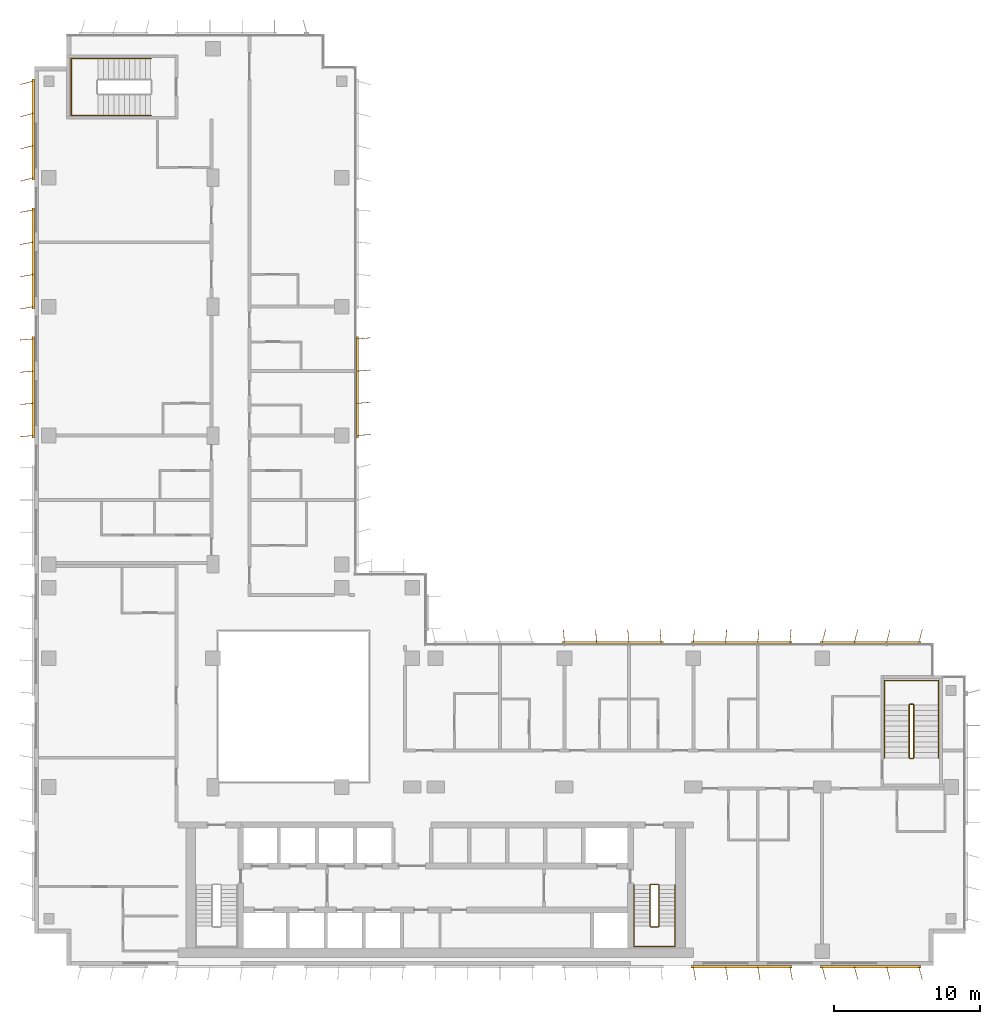
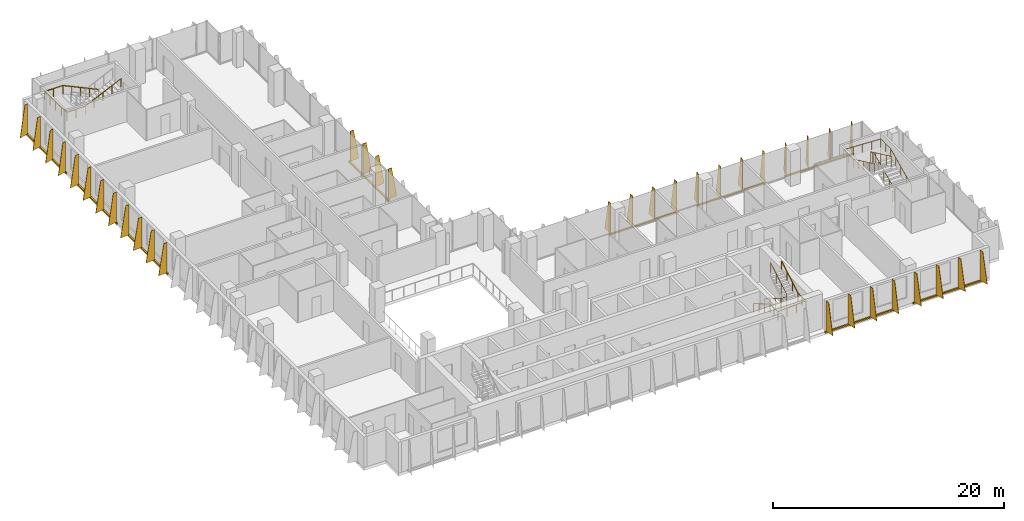
# One storey, part 20 of 21: 9 shading devices, 5 railings.
"""IFC4 building model written with IfcOpenShell, lengths in metres."""

from ifc_helpers import new_model, si_unit, direction, frame, origin, origin_2d, place, context, subcontext, project, spatial, polyline, rectangle, circle, outline, extrude, source, transform, mapped, material, layer, layer_set, type_object, element, save


model = new_model("IFC4")

# Units and contexts
model_context = context("Model", 3, precision=1e-05, world=origin(), true_north=direction((0.0, 1.0)))
body_context = subcontext(model_context, "Body", "Model", "MODEL_VIEW")
ifc_project = project(units=[si_unit("LENGTHUNIT", "METRE"), si_unit("AREAUNIT", "SQUARE_METRE"), si_unit("VOLUMEUNIT", "CUBIC_METRE"), si_unit("PLANEANGLEUNIT", "RADIAN"), si_unit("MASSUNIT", "GRAM", prefix="KILO")], contexts=[model_context])

# Site, building, storey
site_placement = place(None, origin())
site = spatial("IfcSite", under=ifc_project, at=site_placement, CompositionType="ELEMENT")
building_placement = place(site_placement, origin())
building = spatial("IfcBuilding", under=site, at=building_placement, Name="Kemantara Hotel Tower", CompositionType="ELEMENT")
storey_placement = place(building_placement, frame((0.0, 0.0, 198.800048828125)))
storey = spatial("IfcBuildingStorey", under=building, at=storey_placement, Name="L49", CompositionType="ELEMENT", Elevation=198.800048828125)

# Railings
ifc_material_1 = material(Name="Stainless steel balustrade", Category="steel")
railing_type_1 = type_object("IfcRailingType", Name="Stair guard 1100 mm", PredefinedType="GUARDRAIL", material=ifc_material_1)
railing_1_placement = place(storey_placement, frame((42.64990234375, 5.5, 3.699951171875)))
element("IfcRailing", 1, at=railing_1_placement, inside=storey, type_object=railing_type_1, Name="L49 ST2 stair guard 1", PredefinedType="GUARDRAIL", context=body_context, shape_type="SweptSolid", body=[
    extrude(circle(Radius=0.02392578125, at=origin_2d()), frame((0.0, 0.0, 1.076171875), z_axis=(0.0, -0.857242210791, -0.514913383045), x_axis=(1.0, 0.0, 0.0)), (0.0, 0.0, 1.0), 3.266357421875),
    extrude(circle(Radius=0.02392578125, at=origin_2d()), frame((0.0, -2.800048828125, -0.60595703125), z_axis=(-0.273006030465, -0.27434429532, -0.922064485248), x_axis=(0.708833529934, -0.705375805398, 0.0)), (0.0, 0.0, 1.0), 0.182373046875),
    extrude(circle(Radius=0.02392578125, at=origin_2d()), frame((-0.0498046875, -2.85009765625, -0.77392578125), z_axis=(-1.0, 0.0, 0.0), x_axis=(0.0, -1.0, 0.0)), (0.0, 0.0, 1.0), 0.5),
    extrude(circle(Radius=0.02392578125, at=origin_2d()), frame((-0.5498046875, -2.85009765625, -0.77392578125), z_axis=(-0.707106781187, 0.707106781187, 0.0), x_axis=(-0.707106781187, -0.707106781187, 0.0)), (0.0, 0.0, 1.0), 0.07080078125),
    extrude(circle(Radius=0.02392578125, at=origin_2d()), frame((-0.599853515625, -2.800048828125, -0.77392578125), z_axis=(0.0, 0.857275202839, -0.514858452973), x_axis=(-1.0, 0.0, 0.0)), (0.0, 0.0, 1.0), 3.26611328125),
    extrude(circle(Radius=0.02392578125, at=origin_2d()), frame((-0.599853515625, 0.0, -2.45556640625), z_axis=(0.274243871929, 0.274243871929, -0.92172696468), x_axis=(-0.707106781187, 0.707106781187, 0.0)), (0.0, 0.0, 1.0), 0.1826171875),
    extrude(circle(Radius=0.02392578125, at=origin_2d()), frame((-0.5498046875, 0.050048828125, -2.6240234375), z_axis=(1.0, 0.0, 0.0), x_axis=(0.0, 1.0, 0.0)), (0.0, 0.0, 1.0), 0.5),
    extrude(circle(Radius=0.02099609375, at=origin_2d()), origin(), (0.0, 0.0, 1.0), 1.052001953125),
    extrude(circle(Radius=0.02099609375, at=origin_2d()), frame((0.0, -0.933349609375, -0.560546875)), (0.0, 0.0, 1.0), 1.052001953125),
    extrude(circle(Radius=0.02099609375, at=origin_2d()), frame((0.0, -1.86669921875, -1.121337890625)), (0.0, 0.0, 1.0), 1.052001953125),
    extrude(circle(Radius=0.02099609375, at=origin_2d()), frame((0.0, -2.800048828125, -1.681884765625)), (0.0, 0.0, 1.0), 1.052001953125),
    extrude(circle(Radius=0.02099609375, at=origin_2d()), frame((-0.0498046875, -2.85009765625, -1.85009765625)), (0.0, 0.0, 1.0), 1.052001953125),
    extrude(circle(Radius=0.02099609375, at=origin_2d()), frame((-0.5498046875, -2.85009765625, -1.85009765625)), (0.0, 0.0, 1.0), 1.052001953125),
    extrude(circle(Radius=0.02099609375, at=origin_2d()), frame((-0.599853515625, -2.800048828125, -1.85009765625)), (0.0, 0.0, 1.0), 1.052001953125),
    extrude(circle(Radius=0.02099609375, at=origin_2d()), frame((-0.599853515625, -1.86669921875, -2.41064453125)), (0.0, 0.0, 1.0), 1.052001953125),
    extrude(circle(Radius=0.02099609375, at=origin_2d()), frame((-0.599853515625, -0.933349609375, -2.97119140625)), (0.0, 0.0, 1.0), 1.052001953125),
    extrude(circle(Radius=0.02099609375, at=origin_2d()), frame((-0.599853515625, 0.0, -3.53173828125)), (0.0, 0.0, 1.0), 1.052001953125),
    extrude(circle(Radius=0.02099609375, at=origin_2d()), frame((-0.5498046875, 0.050048828125, -3.699951171875)), (0.0, 0.0, 1.0), 1.052001953125),
    extrude(circle(Radius=0.02099609375, at=origin_2d()), frame((-0.0498046875, 0.050048828125, -3.699951171875)), (0.0, 0.0, 1.0), 1.052001953125),
])
railing_2_placement = place(storey_placement, frame((59.75, 14.199951171875, 3.699951171875)))
element("IfcRailing", 2, at=railing_2_placement, inside=storey, type_object=railing_type_1, Name="L49 ST3 stair guard 1", PredefinedType="GUARDRAIL", context=body_context, shape_type="SweptSolid", body=[
    extrude(circle(Radius=0.02392578125, at=origin_2d()), frame((0.0, 0.0, 1.076171875), z_axis=(0.0, 0.906005689286, -0.423265508849), x_axis=(-1.0, 0.0, 0.0)), (0.0, 0.0, 1.0), 3.9736328125),
    extrude(circle(Radius=0.02392578125, at=origin_2d()), frame((0.0, 3.60009765625, -0.60595703125), z_axis=(0.274243871929, 0.274243871929, -0.92172696468), x_axis=(-0.707106781187, 0.707106781187, 0.0)), (0.0, 0.0, 1.0), 0.1826171875),
    extrude(circle(Radius=0.02392578125, at=origin_2d()), frame((0.050048828125, 3.650146484375, -0.77392578125), z_axis=(1.0, 0.0, 0.0), x_axis=(0.0, 1.0, 0.0)), (0.0, 0.0, 1.0), 0.199951171875),
    extrude(circle(Radius=0.02392578125, at=origin_2d()), frame((0.25, 3.650146484375, -0.77392578125), z_axis=(0.707106781187, -0.707106781187, 0.0), x_axis=(0.707106781187, 0.707106781187, 0.0)), (0.0, 0.0, 1.0), 0.07080078125),
    extrude(circle(Radius=0.02392578125, at=origin_2d()), frame((0.300048828125, 3.60009765625, -0.77392578125), z_axis=(0.0, -0.906029249863, -0.423215073447), x_axis=(1.0, 0.0, 0.0)), (0.0, 0.0, 1.0), 3.973388671875),
    extrude(circle(Radius=0.02392578125, at=origin_2d()), frame((0.300048828125, 0.0, -2.45556640625), z_axis=(-0.274243871929, -0.274243871929, -0.92172696468), x_axis=(0.707106781187, -0.707106781187, 0.0)), (0.0, 0.0, 1.0), 0.1826171875),
    extrude(circle(Radius=0.02392578125, at=origin_2d()), frame((0.25, -0.050048828125, -2.6240234375), z_axis=(-1.0, 0.0, 0.0), x_axis=(0.0, -1.0, 0.0)), (0.0, 0.0, 1.0), 0.199951171875),
    extrude(circle(Radius=0.02099609375, at=origin_2d()), origin(), (0.0, 0.0, 1.0), 1.052001953125),
    extrude(circle(Radius=0.02099609375, at=origin_2d()), frame((0.0, 0.89990234375, -0.42041015625)), (0.0, 0.0, 1.0), 1.052001953125),
    extrude(circle(Radius=0.02099609375, at=origin_2d()), frame((0.0, 1.800048828125, -0.8408203125)), (0.0, 0.0, 1.0), 1.052001953125),
    extrude(circle(Radius=0.02099609375, at=origin_2d()), frame((0.0, 2.7001953125, -1.261474609375)), (0.0, 0.0, 1.0), 1.052001953125),
    extrude(circle(Radius=0.02099609375, at=origin_2d()), frame((0.0, 3.60009765625, -1.681884765625)), (0.0, 0.0, 1.0), 1.052001953125),
    extrude(circle(Radius=0.02099609375, at=origin_2d()), frame((0.050048828125, 3.650146484375, -1.85009765625)), (0.0, 0.0, 1.0), 1.052001953125),
    extrude(circle(Radius=0.02099609375, at=origin_2d()), frame((0.25, 3.650146484375, -1.85009765625)), (0.0, 0.0, 1.0), 1.052001953125),
    extrude(circle(Radius=0.02099609375, at=origin_2d()), frame((0.300048828125, 3.60009765625, -1.85009765625)), (0.0, 0.0, 1.0), 1.052001953125),
    extrude(circle(Radius=0.02099609375, at=origin_2d()), frame((0.300048828125, 2.7001953125, -2.2705078125)), (0.0, 0.0, 1.0), 1.052001953125),
    extrude(circle(Radius=0.02099609375, at=origin_2d()), frame((0.300048828125, 1.800048828125, -2.69091796875)), (0.0, 0.0, 1.0), 1.052001953125),
    extrude(circle(Radius=0.02099609375, at=origin_2d()), frame((0.300048828125, 0.89990234375, -3.111328125)), (0.0, 0.0, 1.0), 1.052001953125),
    extrude(circle(Radius=0.02099609375, at=origin_2d()), frame((0.300048828125, 0.0, -3.53173828125)), (0.0, 0.0, 1.0), 1.052001953125),
    extrude(circle(Radius=0.02099609375, at=origin_2d()), frame((0.25, -0.050048828125, -3.699951171875)), (0.0, 0.0, 1.0), 1.052001953125),
    extrude(circle(Radius=0.02099609375, at=origin_2d()), frame((0.050048828125, -0.050048828125, -3.699951171875)), (0.0, 0.0, 1.0), 1.052001953125),
])
railing_type_2 = type_object("IfcRailingType", Name="Stair handrail 900 mm", PredefinedType="HANDRAIL", material=ifc_material_1)
railing_3_placement = place(storey_placement, frame((40.949951171875, 5.5, 0.168212890625)))
element("IfcRailing", 3, at=railing_3_placement, inside=storey, type_object=railing_type_2, Name="L49 ST2 stair handrail 1", PredefinedType="HANDRAIL", context=body_context, shape_type="SweptSolid", body=[
    extrude(circle(Radius=0.02392578125, at=origin_2d()), frame((0.0, 0.0, 0.8759765625), z_axis=(0.0, -0.857275202839, 0.514858452973), x_axis=(1.0, 0.0, 0.0)), (0.0, 0.0, 1.0), 3.26611328125),
    extrude(circle(Radius=0.02392578125, at=origin_2d()), frame((0.0, -2.800048828125, 2.5576171875), z_axis=(0.0, -1.0, 0.0), x_axis=(1.0, 0.0, 0.0)), (0.0, 0.0, 1.0), 1.3798828125),
    extrude(circle(Radius=0.02392578125, at=origin_2d()), frame((0.0, -4.179931640625, 2.5576171875), z_axis=(0.998200367801, 0.0, 0.059966871865), x_axis=(0.0, 1.0, 0.0)), (0.0, 0.0, 1.0), 2.80517578125),
    extrude(circle(Radius=0.02392578125, at=origin_2d()), frame((2.800048828125, -4.179931640625, 2.7255859375), z_axis=(0.0, 1.0, 0.0), x_axis=(-1.0, 0.0, 0.0)), (0.0, 0.0, 1.0), 1.3798828125),
    extrude(circle(Radius=0.02392578125, at=origin_2d()), frame((2.800048828125, -2.800048828125, 2.7255859375), z_axis=(0.0, 0.857242210791, 0.514913383045), x_axis=(-1.0, 0.0, 0.0)), (0.0, 0.0, 1.0), 3.266357421875),
    extrude(circle(Radius=0.02099609375, at=origin_2d()), origin(), (0.0, 0.0, 1.0), 0.851806640625),
    extrude(circle(Radius=0.02099609375, at=origin_2d()), frame((0.0, -0.933349609375, 0.560546875)), (0.0, 0.0, 1.0), 0.851806640625),
    extrude(circle(Radius=0.02099609375, at=origin_2d()), frame((0.0, -1.86669921875, 1.12109375)), (0.0, 0.0, 1.0), 0.851806640625),
    extrude(circle(Radius=0.02099609375, at=origin_2d()), frame((0.0, -2.800048828125, 1.681640625)), (0.0, 0.0, 1.0), 0.851806640625),
    extrude(circle(Radius=0.02099609375, at=origin_2d()), frame((0.0, -3.489990234375, 1.681640625)), (0.0, 0.0, 1.0), 0.851806640625),
    extrude(circle(Radius=0.02099609375, at=origin_2d()), frame((0.0, -4.179931640625, 1.681640625)), (0.0, 0.0, 1.0), 0.851806640625),
    extrude(circle(Radius=0.02099609375, at=origin_2d()), frame((0.933349609375, -4.179931640625, 1.73779296875)), (0.0, 0.0, 1.0), 0.851806640625),
    extrude(circle(Radius=0.02099609375, at=origin_2d()), frame((1.86669921875, -4.179931640625, 1.793701171875)), (0.0, 0.0, 1.0), 0.851806640625),
    extrude(circle(Radius=0.02099609375, at=origin_2d()), frame((2.800048828125, -4.179931640625, 1.849853515625)), (0.0, 0.0, 1.0), 0.851806640625),
    extrude(circle(Radius=0.02099609375, at=origin_2d()), frame((2.800048828125, -3.489990234375, 1.849853515625)), (0.0, 0.0, 1.0), 0.851806640625),
    extrude(circle(Radius=0.02099609375, at=origin_2d()), frame((2.800048828125, -2.800048828125, 1.849853515625)), (0.0, 0.0, 1.0), 0.851806640625),
    extrude(circle(Radius=0.02099609375, at=origin_2d()), frame((2.800048828125, -1.86669921875, 2.410400390625)), (0.0, 0.0, 1.0), 0.851806640625),
    extrude(circle(Radius=0.02099609375, at=origin_2d()), frame((2.800048828125, -0.933349609375, 2.97119140625)), (0.0, 0.0, 1.0), 0.851806640625),
    extrude(circle(Radius=0.02099609375, at=origin_2d()), frame((2.800048828125, 0.0, 3.53173828125)), (0.0, 0.0, 1.0), 0.851806640625),
])
railing_4_placement = place(storey_placement, frame((61.75, 14.199951171875, 0.168212890625)))
element("IfcRailing", 4, at=railing_4_placement, inside=storey, type_object=railing_type_2, Name="L49 ST3 stair handrail 1", PredefinedType="HANDRAIL", context=body_context, shape_type="SweptSolid", body=[
    extrude(circle(Radius=0.02392578125, at=origin_2d()), frame((0.0, 0.0, 0.8759765625), z_axis=(0.0, 0.906029249863, 0.423215073447), x_axis=(-1.0, 0.0, 0.0)), (0.0, 0.0, 1.0), 3.973388671875),
    extrude(circle(Radius=0.02392578125, at=origin_2d()), frame((0.0, 3.60009765625, 2.5576171875), z_axis=(0.0, 1.0, 0.0), x_axis=(-1.0, 0.0, 0.0)), (0.0, 0.0, 1.0), 1.679931640625),
    extrude(circle(Radius=0.02392578125, at=origin_2d()), frame((0.0, 5.280029296875, 2.5576171875), z_axis=(-0.998968132438, 0.0, 0.045416631029), x_axis=(0.0, -1.0, 0.0)), (0.0, 0.0, 1.0), 3.703857421875),
    extrude(circle(Radius=0.02392578125, at=origin_2d()), frame((-3.699951171875, 5.280029296875, 2.7255859375), z_axis=(0.0, -1.0, 0.0), x_axis=(1.0, 0.0, 0.0)), (0.0, 0.0, 1.0), 1.679931640625),
    extrude(circle(Radius=0.02392578125, at=origin_2d()), frame((-3.699951171875, 3.60009765625, 2.7255859375), z_axis=(0.0, -0.906005689286, 0.423265508849), x_axis=(1.0, 0.0, 0.0)), (0.0, 0.0, 1.0), 3.9736328125),
    extrude(circle(Radius=0.02099609375, at=origin_2d()), origin(), (0.0, 0.0, 1.0), 0.851806640625),
    extrude(circle(Radius=0.02099609375, at=origin_2d()), frame((0.0, 0.89990234375, 0.42041015625)), (0.0, 0.0, 1.0), 0.851806640625),
    extrude(circle(Radius=0.02099609375, at=origin_2d()), frame((0.0, 1.800048828125, 0.8408203125)), (0.0, 0.0, 1.0), 0.851806640625),
    extrude(circle(Radius=0.02099609375, at=origin_2d()), frame((0.0, 2.7001953125, 1.26123046875)), (0.0, 0.0, 1.0), 0.851806640625),
    extrude(circle(Radius=0.02099609375, at=origin_2d()), frame((0.0, 3.60009765625, 1.681640625)), (0.0, 0.0, 1.0), 0.851806640625),
    extrude(circle(Radius=0.02099609375, at=origin_2d()), frame((0.0, 4.43994140625, 1.681640625)), (0.0, 0.0, 1.0), 0.851806640625),
    extrude(circle(Radius=0.02099609375, at=origin_2d()), frame((0.0, 5.280029296875, 1.681640625)), (0.0, 0.0, 1.0), 0.851806640625),
    extrude(circle(Radius=0.02099609375, at=origin_2d()), frame((-0.925048828125, 5.280029296875, 1.7236328125)), (0.0, 0.0, 1.0), 0.851806640625),
    extrude(circle(Radius=0.02099609375, at=origin_2d()), frame((-1.85009765625, 5.280029296875, 1.765625)), (0.0, 0.0, 1.0), 0.851806640625),
    extrude(circle(Radius=0.02099609375, at=origin_2d()), frame((-2.77490234375, 5.280029296875, 1.807861328125)), (0.0, 0.0, 1.0), 0.851806640625),
    extrude(circle(Radius=0.02099609375, at=origin_2d()), frame((-3.699951171875, 5.280029296875, 1.849853515625)), (0.0, 0.0, 1.0), 0.851806640625),
    extrude(circle(Radius=0.02099609375, at=origin_2d()), frame((-3.699951171875, 4.43994140625, 1.849853515625)), (0.0, 0.0, 1.0), 0.851806640625),
    extrude(circle(Radius=0.02099609375, at=origin_2d()), frame((-3.699951171875, 3.60009765625, 1.849853515625)), (0.0, 0.0, 1.0), 0.851806640625),
    extrude(circle(Radius=0.02099609375, at=origin_2d()), frame((-3.699951171875, 2.7001953125, 2.270263671875)), (0.0, 0.0, 1.0), 0.851806640625),
    extrude(circle(Radius=0.02099609375, at=origin_2d()), frame((-3.699951171875, 1.800048828125, 2.69091796875)), (0.0, 0.0, 1.0), 0.851806640625),
    extrude(circle(Radius=0.02099609375, at=origin_2d()), frame((-3.699951171875, 0.89990234375, 3.111328125)), (0.0, 0.0, 1.0), 0.851806640625),
    extrude(circle(Radius=0.02099609375, at=origin_2d()), frame((-3.699951171875, 0.0, 3.53173828125)), (0.0, 0.0, 1.0), 0.851806640625),
])
railing_5_placement = place(storey_placement, frame((7.949951171875, 61.949951171875, 0.168212890625)))
element("IfcRailing", 5, at=railing_5_placement, inside=storey, type_object=railing_type_2, Name="L49 ST4 stair handrail 1", PredefinedType="HANDRAIL", context=body_context, shape_type="SweptSolid", body=[
    extrude(circle(Radius=0.02392578125, at=origin_2d()), frame((0.0, 0.0, 0.8759765625), z_axis=(-0.906018243939, 0.0, 0.423238634402), x_axis=(0.0, -1.0, 0.0)), (0.0, 0.0, 1.0), 3.973388671875),
    extrude(circle(Radius=0.02392578125, at=origin_2d()), frame((-3.599853515625, 0.0, 2.5576171875), z_axis=(-1.0, 0.0, 0.0), x_axis=(0.0, -1.0, 0.0)), (0.0, 0.0, 1.0), 1.830078125),
    extrude(circle(Radius=0.02392578125, at=origin_2d()), frame((-5.429931640625, 0.0, 2.5576171875), z_axis=(0.0, -0.999071085748, 0.043092523981), x_axis=(1.0, 0.0, 0.0)), (0.0, 0.0, 1.0), 3.903564453125),
    extrude(circle(Radius=0.02392578125, at=origin_2d()), frame((-5.429931640625, -3.89990234375, 2.7255859375), z_axis=(1.0, 0.0, 0.0), x_axis=(0.0, 1.0, 0.0)), (0.0, 0.0, 1.0), 1.830078125),
    extrude(circle(Radius=0.02392578125, at=origin_2d()), frame((-3.599853515625, -3.89990234375, 2.7255859375), z_axis=(0.905994681025, 0.0, 0.423289071386), x_axis=(0.0, 1.0, 0.0)), (0.0, 0.0, 1.0), 3.973388671875),
    extrude(circle(Radius=0.02099609375, at=origin_2d()), origin(), (0.0, 0.0, 1.0), 0.851806640625),
    extrude(circle(Radius=0.02099609375, at=origin_2d()), frame((-0.89990234375, 0.0, 0.42041015625)), (0.0, 0.0, 1.0), 0.851806640625),
    extrude(circle(Radius=0.02099609375, at=origin_2d()), frame((-1.7998046875, 0.0, 0.8408203125)), (0.0, 0.0, 1.0), 0.851806640625),
    extrude(circle(Radius=0.02099609375, at=origin_2d()), frame((-2.699951171875, 0.0, 1.26123046875)), (0.0, 0.0, 1.0), 0.851806640625),
    extrude(circle(Radius=0.02099609375, at=origin_2d()), frame((-3.599853515625, 0.0, 1.681640625)), (0.0, 0.0, 1.0), 0.851806640625),
    extrude(circle(Radius=0.02099609375, at=origin_2d()), frame((-4.514892578125, 0.0, 1.681640625)), (0.0, 0.0, 1.0), 0.851806640625),
    extrude(circle(Radius=0.02099609375, at=origin_2d()), frame((-5.429931640625, 0.0, 1.681640625)), (0.0, 0.0, 1.0), 0.851806640625),
    extrude(circle(Radius=0.02099609375, at=origin_2d()), frame((-5.429931640625, -0.97509765625, 1.7236328125)), (0.0, 0.0, 1.0), 0.851806640625),
    extrude(circle(Radius=0.02099609375, at=origin_2d()), frame((-5.429931640625, -1.949951171875, 1.765625)), (0.0, 0.0, 1.0), 0.851806640625),
    extrude(circle(Radius=0.02099609375, at=origin_2d()), frame((-5.429931640625, -2.9248046875, 1.807861328125)), (0.0, 0.0, 1.0), 0.851806640625),
    extrude(circle(Radius=0.02099609375, at=origin_2d()), frame((-5.429931640625, -3.89990234375, 1.849853515625)), (0.0, 0.0, 1.0), 0.851806640625),
    extrude(circle(Radius=0.02099609375, at=origin_2d()), frame((-4.514892578125, -3.89990234375, 1.849853515625)), (0.0, 0.0, 1.0), 0.851806640625),
    extrude(circle(Radius=0.02099609375, at=origin_2d()), frame((-3.599853515625, -3.89990234375, 1.849853515625)), (0.0, 0.0, 1.0), 0.851806640625),
    extrude(circle(Radius=0.02099609375, at=origin_2d()), frame((-2.699951171875, -3.89990234375, 2.270263671875)), (0.0, 0.0, 1.0), 0.851806640625),
    extrude(circle(Radius=0.02099609375, at=origin_2d()), frame((-1.7998046875, -3.89990234375, 2.69091796875)), (0.0, 0.0, 1.0), 0.851806640625),
    extrude(circle(Radius=0.02099609375, at=origin_2d()), frame((-0.89990234375, -3.89990234375, 3.111328125)), (0.0, 0.0, 1.0), 0.851806640625),
    extrude(circle(Radius=0.02099609375, at=origin_2d()), frame((0.0, -3.89990234375, 3.53173828125)), (0.0, 0.0, 1.0), 0.851806640625),
])

# Shading devices
ifc_material_2 = material(Name="Perforated aluminium plate 4 mm bronze anodised", Category="aluminium")
ifc_layer_1 = layer(ifc_material_2, 0.0400390625)
ifc_layer_set_1 = layer_set([ifc_layer_1], Name="Perforated aluminium plate 4 mm bronze anodised")
shading_device_type_1 = type_object("IfcShadingDeviceType", Name="SCREEN FIN CASSETTE, 4 BLADES AT -5.0 DEG, 3200 HIGH", PredefinedType="USERDEFINED", material=ifc_layer_set_1)
shared_shape_1 = source(origin(), body_context, "Body", "SweptSolid", [
    extrude(rectangle(XDim=6.89990234375, YDim=0.14990234375, at=origin_2d()), frame((3.300048828125, -0.074951171875, -0.14990234375), z_axis=(0.0, 0.0, 1.0), x_axis=(1.0, 0.0, 0.0)), (0.0, 0.0, 1.0), 0.14990234375),
    extrude(outline(polyline([(0.0, 0.0), (0.89990234375, 0.0), (0.35009765625, 3.199951171875), (0.0, 3.199951171875), (0.0, 0.0)])), frame((0.02001953125, -0.07666015625, 0.0), z_axis=(-0.996376129781, 0.085056498884, 0.0), x_axis=(-0.085056498884, -0.996376129781, 0.0)), (0.0, 0.0, 1.0), 0.040283203125),
    extrude(outline(polyline([(0.0, 0.0), (0.89990234375, 0.0), (0.35009765625, 3.199951171875), (0.0, 3.199951171875), (0.0, 0.0)])), frame((2.219970703125, -0.07666015625, 0.0), z_axis=(-0.996331773833, 0.085574508182, 0.0), x_axis=(-0.085574508182, -0.996331773833, 0.0)), (0.0, 0.0, 1.0), 0.0400390625),
    extrude(outline(polyline([(0.0, 0.0), (0.89990234375, 0.0), (0.35009765625, 3.199951171875), (0.0, 3.199951171875), (0.0, 0.0)])), frame((4.419921875, -0.07666015625, 0.0), z_axis=(-0.996331773833, 0.085574508182, 0.0), x_axis=(-0.085574508182, -0.996331773833, 0.0)), (0.0, 0.0, 1.0), 0.0400390625),
    extrude(outline(polyline([(0.0, 0.0), (0.89990234375, 0.0), (0.35009765625, 3.199951171875), (0.0, 3.199951171875), (0.0, 0.0)])), frame((6.619873046875, -0.07666015625, 0.0), z_axis=(-0.996331773833, 0.085574508182, 0.0), x_axis=(-0.085574508182, -0.996331773833, 0.0)), (0.0, 0.0, 1.0), 0.0400390625),
])
shading_device_1_placement = place(storey_placement, frame((51.60009765625, 22.0, 0.099853515625), z_axis=(0.0, 0.0, 1.0), x_axis=(-1.0, 0.0, 0.0)))
element("IfcShadingDevice", 6, at=shading_device_1_placement, inside=storey, type_object=shading_device_type_1, Name="SCREEN FIN CASSETTE L49 T3-R14-2", ObjectType="SCREEN FIN", PredefinedType="USERDEFINED", context=body_context, shape_type="MappedRepresentation", body=[
    mapped(shared_shape_1, transform((0.0, 0.0, 0.0))),
])
ifc_layer_2 = layer(ifc_material_2, 0.0400390625)
ifc_layer_set_2 = layer_set([ifc_layer_2], Name="Perforated aluminium plate 4 mm bronze anodised")
shading_device_type_2 = type_object("IfcShadingDeviceType", Name="SCREEN FIN CASSETTE, 4 BLADES AT +5.0 DEG, 3200 HIGH", PredefinedType="USERDEFINED", material=ifc_layer_set_2)
shared_shape_2 = source(origin(), body_context, "Body", "SweptSolid", [
    extrude(rectangle(XDim=6.89990234375, YDim=0.14990234375, at=origin_2d()), frame((3.300048828125, -0.074951171875, -0.14990234375), z_axis=(0.0, 0.0, 1.0), x_axis=(1.0, 0.0, 0.0)), (0.0, 0.0, 1.0), 0.14990234375),
    extrude(outline(polyline([(0.0, 0.0), (0.89990234375, 0.0), (0.35009765625, 3.199951171875), (0.0, 3.199951171875), (0.0, 0.0)])), frame((0.02001953125, -0.0732421875, 0.0), z_axis=(-0.996376129781, -0.085056498884, 0.0), x_axis=(0.085056498884, -0.996376129781, 0.0)), (0.0, 0.0, 1.0), 0.040283203125),
    extrude(outline(polyline([(0.0, 0.0), (0.89990234375, 0.0), (0.35009765625, 3.199951171875), (0.0, 3.199951171875), (0.0, 0.0)])), frame((2.219970703125, -0.0732421875, 0.0), z_axis=(-0.996331773833, -0.085574508182, 0.0), x_axis=(0.085574508182, -0.996331773833, 0.0)), (0.0, 0.0, 1.0), 0.0400390625),
    extrude(outline(polyline([(0.0, 0.0), (0.89990234375, 0.0), (0.35009765625, 3.199951171875), (0.0, 3.199951171875), (0.0, 0.0)])), frame((4.419921875, -0.0732421875, 0.0), z_axis=(-0.996331773833, -0.085574508182, 0.0), x_axis=(0.085574508182, -0.996331773833, 0.0)), (0.0, 0.0, 1.0), 0.0400390625),
    extrude(outline(polyline([(0.0, 0.0), (0.89990234375, 0.0), (0.35009765625, 3.199951171875), (0.0, 3.199951171875), (0.0, 0.0)])), frame((6.619873046875, -0.0732421875, 0.0), z_axis=(-0.996331773833, -0.085574508182, 0.0), x_axis=(0.085574508182, -0.996331773833, 0.0)), (0.0, 0.0, 1.0), 0.0400390625),
])
for number, where, z_axis, x_axis, name in (
    (7, (0.0, 42.800048828125, 0.099853515625), (0.0, 0.0, 1.0), (0.0, -1.0, 0.0), "SCREEN FIN CASSETTE L49 T3-R05-3"),
    (8, (42.800048828125, 22.0, 0.099853515625), (0.0, 0.0, 1.0), (-1.0, 0.0, 0.0), "SCREEN FIN CASSETTE L49 T3-R14-3"),
    (9, (22.0, 36.199951171875, 0.099853515625), (0.0, 0.0, 1.0), (0.0, 1.0, 0.0), "SCREEN FIN CASSETTE L49 T3-R17-2"),
):
    element("IfcShadingDevice", number, at=place(storey_placement, frame(where, z_axis=z_axis, x_axis=x_axis)), inside=storey, type_object=shading_device_type_2, Name=name, ObjectType="SCREEN FIN", PredefinedType="USERDEFINED", context=body_context, shape_type="MappedRepresentation", body=[
        mapped(shared_shape_2, transform((0.0, 0.0, 0.0))),
    ])
ifc_layer_3 = layer(ifc_material_2, 0.0400390625)
ifc_layer_set_3 = layer_set([ifc_layer_3], Name="Perforated aluminium plate 4 mm bronze anodised")
shading_device_type_3 = type_object("IfcShadingDeviceType", Name="SCREEN FIN CASSETTE, 4 BLADES AT +10.0 DEG, 3200 HIGH", PredefinedType="USERDEFINED", material=ifc_layer_set_3)
shared_shape_3 = source(origin(), body_context, "Body", "SweptSolid", [
    extrude(rectangle(XDim=6.89990234375, YDim=0.14990234375, at=origin_2d()), frame((3.300048828125, -0.074951171875, -0.14990234375), z_axis=(0.0, 0.0, 1.0), x_axis=(1.0, 0.0, 0.0)), (0.0, 0.0, 1.0), 0.14990234375),
    extrude(outline(polyline([(0.0, 0.0), (0.89990234375, 0.0), (0.35009765625, 3.199951171875), (0.0, 3.199951171875), (0.0, 0.0)])), frame((0.019775390625, -0.071533203125, 0.0), z_axis=(-0.985389793052, -0.170314285219, 0.0), x_axis=(0.170314285219, -0.985389793052, 0.0)), (0.0, 0.0, 1.0), 0.0400390625),
    extrude(outline(polyline([(0.0, 0.0), (0.89990234375, 0.0), (0.35009765625, 3.199951171875), (0.0, 3.199951171875), (0.0, 0.0)])), frame((2.2197265625, -0.071533203125, 0.0), z_axis=(-0.98521175482, -0.171341174751, 0.0), x_axis=(0.171341174751, -0.98521175482, 0.0)), (0.0, 0.0, 1.0), 0.039794921875),
    extrude(outline(polyline([(0.0, 0.0), (0.89990234375, 0.0), (0.35009765625, 3.199951171875), (0.0, 3.199951171875), (0.0, 0.0)])), frame((4.419677734375, -0.071533203125, 0.0), z_axis=(-0.98521175482, -0.171341174751, 0.0), x_axis=(0.171341174751, -0.98521175482, 0.0)), (0.0, 0.0, 1.0), 0.039794921875),
    extrude(outline(polyline([(0.0, 0.0), (0.89990234375, 0.0), (0.35009765625, 3.199951171875), (0.0, 3.199951171875), (0.0, 0.0)])), frame((6.61962890625, -0.071533203125, 0.0), z_axis=(-0.98521175482, -0.171341174751, 0.0), x_axis=(0.171341174751, -0.98521175482, 0.0)), (0.0, 0.0, 1.0), 0.039794921875),
])
for number, where, z_axis, x_axis, name in (
    (10, (0.0, 51.60009765625, 0.099853515625), (0.0, 0.0, 1.0), (0.0, -1.0, 0.0), "SCREEN FIN CASSETTE L49 T3-R05-2"),
    (11, (45.0, 0.0, 0.099853515625), (0.0, 0.0, 1.0), (1.0, 0.0, 0.0), "SCREEN FIN CASSETTE L49 T3-R08-6"),
):
    element("IfcShadingDevice", number, at=place(storey_placement, frame(where, z_axis=z_axis, x_axis=x_axis)), inside=storey, type_object=shading_device_type_3, Name=name, ObjectType="SCREEN FIN", PredefinedType="USERDEFINED", context=body_context, shape_type="MappedRepresentation", body=[
        mapped(shared_shape_3, transform((0.0, 0.0, 0.0))),
    ])
ifc_layer_4 = layer(ifc_material_2, 0.0400390625)
ifc_layer_set_4 = layer_set([ifc_layer_4], Name="Perforated aluminium plate 4 mm bronze anodised")
shading_device_type_4 = type_object("IfcShadingDeviceType", Name="SCREEN FIN CASSETTE, 4 BLADES AT +15.0 DEG, 3200 HIGH", PredefinedType="USERDEFINED", material=ifc_layer_set_4)
shared_shape_4 = source(origin(), body_context, "Body", "SweptSolid", [
    extrude(rectangle(XDim=6.89990234375, YDim=0.14990234375, at=origin_2d()), frame((3.300048828125, -0.074951171875, -0.14990234375), z_axis=(0.0, 0.0, 1.0), x_axis=(1.0, 0.0, 0.0)), (0.0, 0.0, 1.0), 0.14990234375),
    extrude(outline(polyline([(0.0, 0.0), (0.89990234375, 0.0), (0.35009765625, 3.199951171875), (0.0, 3.199951171875), (0.0, 0.0)])), frame((0.019287109375, -0.06982421875, 0.0), z_axis=(-0.966437683387, -0.256901156343, 0.0), x_axis=(0.256901156343, -0.966437683387, 0.0)), (0.0, 0.0, 1.0), 0.039794921875),
    extrude(outline(polyline([(0.0, 0.0), (0.89990234375, 0.0), (0.35009765625, 3.199951171875), (0.0, 3.199951171875), (0.0, 0.0)])), frame((2.21923828125, -0.06982421875, 0.0), z_axis=(-0.966437683387, -0.256901156343, 0.0), x_axis=(0.256901156343, -0.966437683387, 0.0)), (0.0, 0.0, 1.0), 0.039794921875),
    extrude(outline(polyline([(0.0, 0.0), (0.89990234375, 0.0), (0.35009765625, 3.199951171875), (0.0, 3.199951171875), (0.0, 0.0)])), frame((4.41943359375, -0.06982421875, 0.0), z_axis=(-0.966837822169, -0.255391122837, 0.0), x_axis=(0.255391122837, -0.966837822169, 0.0)), (0.0, 0.0, 1.0), 0.0400390625),
    extrude(outline(polyline([(0.0, 0.0), (0.89990234375, 0.0), (0.35009765625, 3.199951171875), (0.0, 3.199951171875), (0.0, 0.0)])), frame((6.619384765625, -0.06982421875, 0.0), z_axis=(-0.966837822169, -0.255391122837, 0.0), x_axis=(0.255391122837, -0.966837822169, 0.0)), (0.0, 0.0, 1.0), 0.0400390625),
])
for number, where, z_axis, x_axis, name in (
    (12, (0.0, 60.39990234375, 0.099853515625), (0.0, 0.0, 1.0), (0.0, -1.0, 0.0), "SCREEN FIN CASSETTE L49 T3-R05-1"),
    (13, (53.800048828125, 0.0, 0.099853515625), (0.0, 0.0, 1.0), (1.0, 0.0, 0.0), "SCREEN FIN CASSETTE L49 T3-R08-7"),
):
    element("IfcShadingDevice", number, at=place(storey_placement, frame(where, z_axis=z_axis, x_axis=x_axis)), inside=storey, type_object=shading_device_type_4, Name=name, ObjectType="SCREEN FIN", PredefinedType="USERDEFINED", context=body_context, shape_type="MappedRepresentation", body=[
        mapped(shared_shape_4, transform((0.0, 0.0, 0.0))),
    ])
ifc_layer_5 = layer(ifc_material_2, 0.0400390625)
ifc_layer_set_5 = layer_set([ifc_layer_5], Name="Perforated aluminium plate 4 mm bronze anodised")
shading_device_type_5 = type_object("IfcShadingDeviceType", Name="SCREEN FIN CASSETTE, 4 BLADES AT -15.0 DEG, 3200 HIGH", PredefinedType="USERDEFINED", material=ifc_layer_set_5)
shared_shape_5 = source(origin(), body_context, "Body", "SweptSolid", [
    extrude(rectangle(XDim=6.89990234375, YDim=0.14990234375, at=origin_2d()), frame((3.300048828125, -0.074951171875, -0.14990234375), z_axis=(0.0, 0.0, 1.0), x_axis=(1.0, 0.0, 0.0)), (0.0, 0.0, 1.0), 0.14990234375),
    extrude(outline(polyline([(0.0, 0.0), (0.89990234375, 0.0), (0.35009765625, 3.199951171875), (0.0, 3.199951171875), (0.0, 0.0)])), frame((0.019287109375, -0.080078125, 0.0), z_axis=(-0.966437683387, 0.256901156343, 0.0), x_axis=(-0.256901156343, -0.966437683387, 0.0)), (0.0, 0.0, 1.0), 0.039794921875),
    extrude(outline(polyline([(0.0, 0.0), (0.89990234375, 0.0), (0.35009765625, 3.199951171875), (0.0, 3.199951171875), (0.0, 0.0)])), frame((2.21923828125, -0.080078125, 0.0), z_axis=(-0.966437683387, 0.256901156343, 0.0), x_axis=(-0.256901156343, -0.966437683387, 0.0)), (0.0, 0.0, 1.0), 0.039794921875),
    extrude(outline(polyline([(0.0, 0.0), (0.89990234375, 0.0), (0.35009765625, 3.199951171875), (0.0, 3.199951171875), (0.0, 0.0)])), frame((4.41943359375, -0.080078125, 0.0), z_axis=(-0.966837822169, 0.255391122837, 0.0), x_axis=(-0.255391122837, -0.966837822169, 0.0)), (0.0, 0.0, 1.0), 0.0400390625),
    extrude(outline(polyline([(0.0, 0.0), (0.89990234375, 0.0), (0.35009765625, 3.199951171875), (0.0, 3.199951171875), (0.0, 0.0)])), frame((6.619384765625, -0.080078125, 0.0), z_axis=(-0.966837822169, 0.255391122837, 0.0), x_axis=(-0.255391122837, -0.966837822169, 0.0)), (0.0, 0.0, 1.0), 0.0400390625),
])
shading_device_2_placement = place(storey_placement, frame((60.39990234375, 22.0, 0.099853515625), z_axis=(0.0, 0.0, 1.0), x_axis=(-1.0, 0.0, 0.0)))
element("IfcShadingDevice", 14, at=shading_device_2_placement, inside=storey, type_object=shading_device_type_5, Name="SCREEN FIN CASSETTE L49 T3-R14-1", ObjectType="SCREEN FIN", PredefinedType="USERDEFINED", context=body_context, shape_type="MappedRepresentation", body=[
    mapped(shared_shape_5, transform((0.0, 0.0, 0.0))),
])

save(model, "model.ifc")
